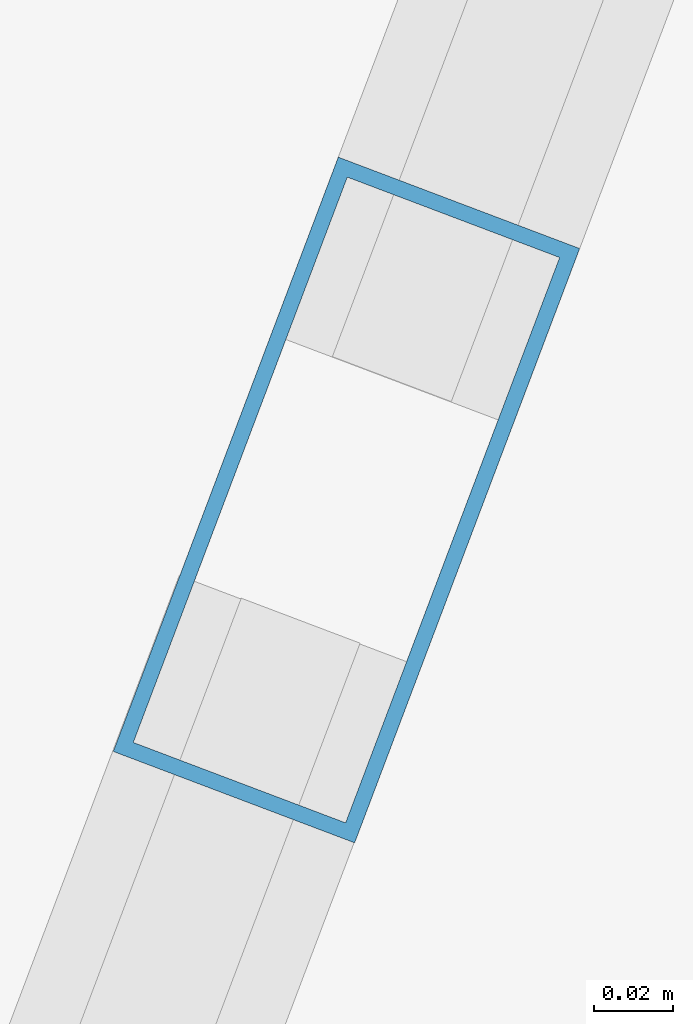
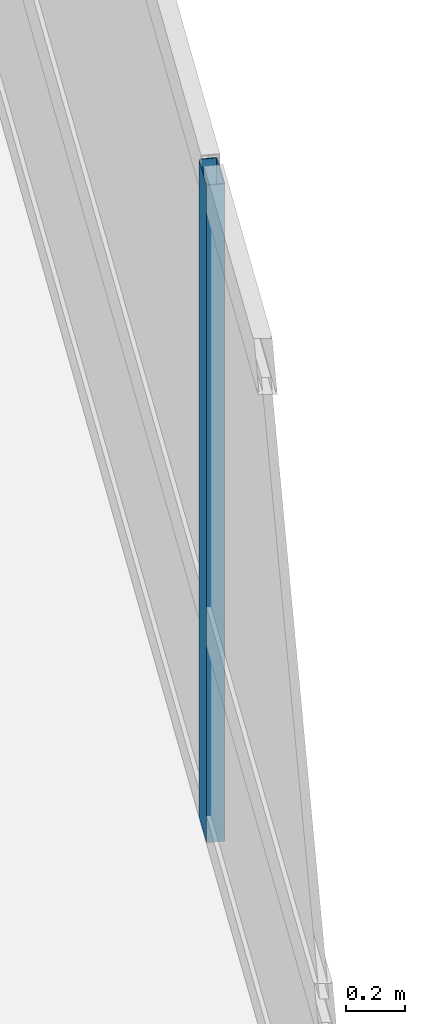
# One storey, part 13 of 25: 1 member, 1 element without a shape of its own.
"""IFC4 building model written with IfcOpenShell, lengths in metres."""

from ifc_helpers import new_model, si_unit, direction, frame, origin, origin_2d, place, context, subcontext, project, spatial, hollow_rectangle, extrude, material, layer, layer_set, material_profile, profile_set, type_object, element, aggregate, save


model = new_model("IFC4")

# Units and contexts
model_context = context("Model", 3, precision=1e-05, world=origin(), true_north=direction((0.0, 1.0)))
body_context = subcontext(model_context, "Body", "Model", "MODEL_VIEW")
ifc_project = project(units=[si_unit("LENGTHUNIT", "METRE"), si_unit("AREAUNIT", "SQUARE_METRE"), si_unit("VOLUMEUNIT", "CUBIC_METRE"), si_unit("PLANEANGLEUNIT", "RADIAN"), si_unit("MASSUNIT", "GRAM", prefix="KILO")], contexts=[model_context])

# Site, building, storey
site_placement = place(None, origin())
site = spatial("IfcSite", under=ifc_project, at=site_placement, CompositionType="ELEMENT")
building_placement = place(site_placement, origin())
building = spatial("IfcBuilding", under=site, at=building_placement, Name="Varnelok Gate Tower", CompositionType="ELEMENT")
storey_placement = place(building_placement, frame((0.0, 0.0, 83.60009765625)))
storey = spatial("IfcBuildingStorey", under=building, at=storey_placement, Name="L20", CompositionType="ELEMENT", Elevation=83.60009765625)

# Curtain wall, member
ifc_material = material(Name="Anodized Aluminum Alloy 6063-T6", Category="aluminium")
ifc_layer = layer(ifc_material, 0.179931640625)
ifc_layer_set = layer_set([ifc_layer], Name="Anodized Aluminum Alloy 6063-T6")
curtain_wall_type = type_object("IfcCurtainWallType", Name="CW3-HOTEL-VISION", PredefinedType="USERDEFINED", material=ifc_layer_set)
curtain_wall_placement = place(storey_placement, origin())
curtain_wall = element("IfcCurtainWall", 1, at=curtain_wall_placement, inside=storey, type_object=curtain_wall_type, Name="L20 East End Vision Curtain Wall", ObjectType="UNITISED CURTAIN WALL", PredefinedType="USERDEFINED")
ifc_material_profile = material_profile(ifc_material, hollow_rectangle(XDim=0.06494140625, YDim=0.159912109375, WallThickness=0.00390625, at=origin_2d()), Name="ALU160X65X4")
ifc_profile_set = profile_set([ifc_material_profile], Name="Anodized Aluminum Alloy 6063-T6")
member_type = type_object("IfcMemberType", Name="CW-MULL-160", PredefinedType="MULLION", material=ifc_profile_set)
member_placement = place(storey_placement, frame((77.8916015625, 22.26416015625, 0.0), z_axis=(0.0, 0.0, 1.0), x_axis=(0.935221323688, -0.354063660545, 0.0)))
member = element("IfcMember", 2, at=member_placement, type_object=member_type, Name="CW3 mullion 2", PredefinedType="MULLION", context=body_context, shape_type="SweptSolid", body=[
    extrude(hollow_rectangle(XDim=0.06494140625, YDim=0.159912109375, WallThickness=0.00390625, at=origin_2d()), origin(), (0.0, 0.0, 1.0), 2.72998046875),
])
aggregate(curtain_wall, [member])

save(model, "model.ifc")
